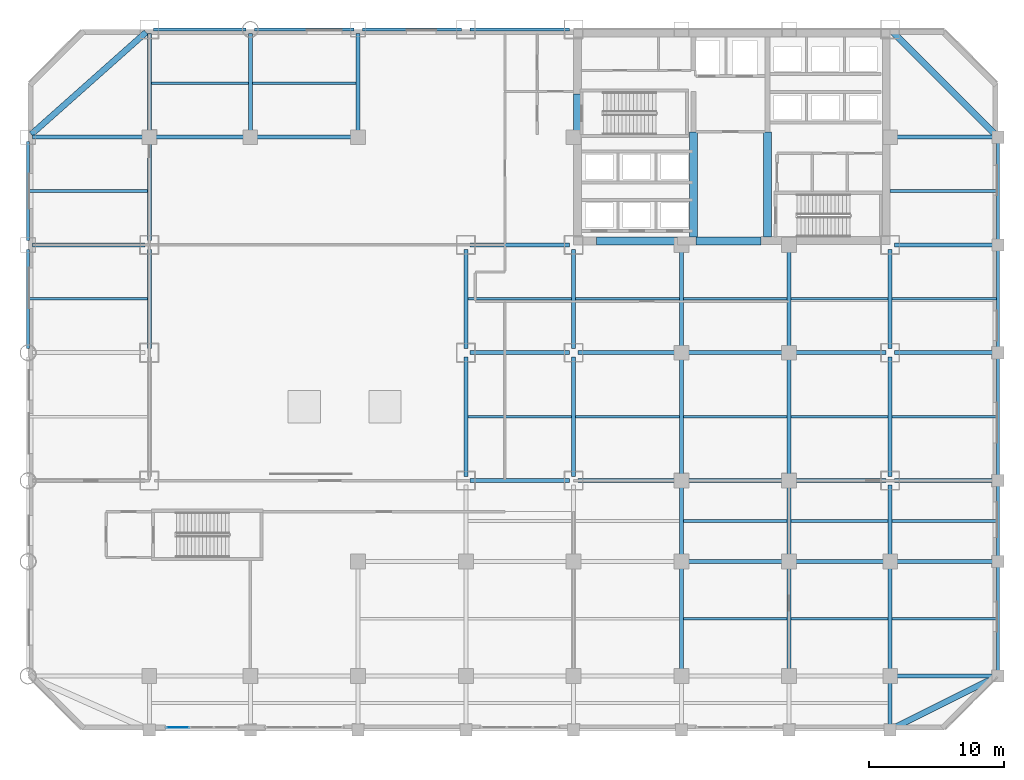
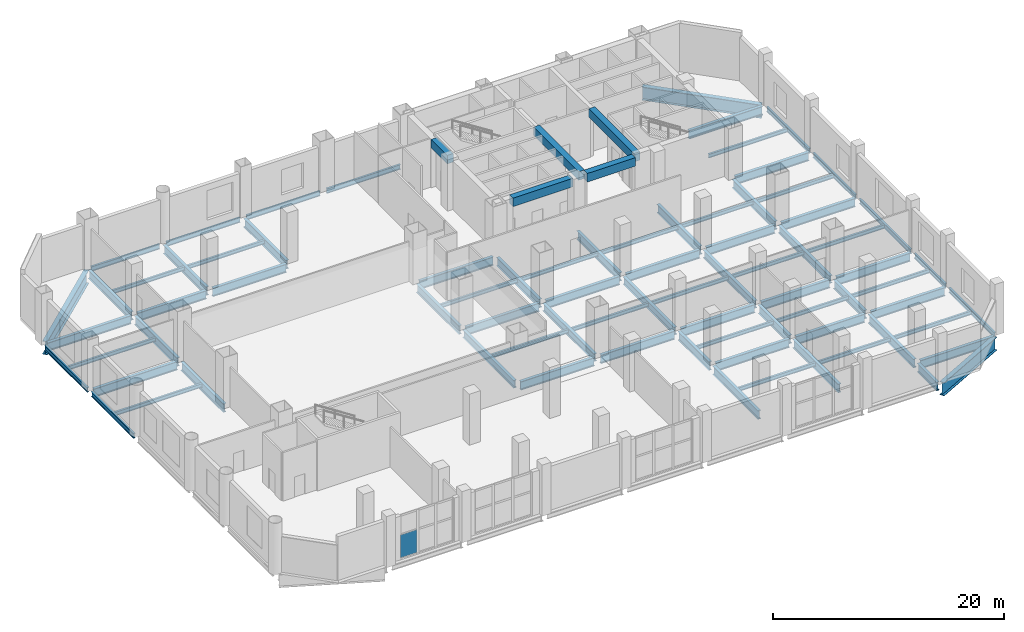
# One storey, part 9 of 18: 83 beams, 1 plate, 1 element without a shape of its own.
"""IFC4 building model written with IfcOpenShell, lengths in metres."""

from ifc_helpers import new_model, si_unit, direction, frame, origin, origin_2d, place, context, subcontext, project, spatial, rectangle, i_section, extrude, material, layer, layer_set, material_profile, profile_set, type_object, element, aggregate, save


model = new_model("IFC4")

# Units and contexts
model_context = context("Model", 3, precision=1e-05, world=origin(), true_north=direction((0.0, 1.0)))
body_context = subcontext(model_context, "Body", "Model", "MODEL_VIEW")
ifc_project = project(units=[si_unit("LENGTHUNIT", "METRE"), si_unit("AREAUNIT", "SQUARE_METRE"), si_unit("VOLUMEUNIT", "CUBIC_METRE"), si_unit("PLANEANGLEUNIT", "RADIAN"), si_unit("MASSUNIT", "GRAM", prefix="KILO")], contexts=[model_context])

# Site, building, storey
site_placement = place(None, origin())
site = spatial("IfcSite", under=ifc_project, at=site_placement, CompositionType="ELEMENT")
building_placement = place(site_placement, origin())
building = spatial("IfcBuilding", under=site, at=building_placement, Name="Qianrong Seaharbour Tower", CompositionType="ELEMENT")
storey_placement = place(building_placement, frame((0.0, 0.0, 6.0)))
storey = spatial("IfcBuildingStorey", under=building, at=storey_placement, Name="L02", CompositionType="ELEMENT", Elevation=6.0)

# Beams
ifc_material_1 = material(Name="Structural steel SN490B", Category="steel")
ifc_material_profile_1 = material_profile(ifc_material_1, i_section(OverallWidth=0.300048828125, OverallDepth=0.800048828125, WebThickness=0.013916015625, FlangeThickness=0.02587890625, FilletRadius=0.028076171875, at=origin_2d()), Name="H800x300x14x26")
ifc_profile_set_1 = profile_set([ifc_material_profile_1], Name="Structural steel SN490B")
beam_type_1 = type_object("IfcBeamType", Name="BM-G-800", PredefinedType="BEAM", material=ifc_profile_set_1)
for number, where, z_axis, x_axis, name in (
    (1, (32.5, 18.820068359375, -0.679931640625), (0.0, 1.0, 0.0), (-1.0, 0.0, 0.0), "L02 Primary Girder G5 GD-GE"),
    (2, (40.5, 18.820068359375, -0.679931640625), (0.0, 1.0, 0.0), (-1.0, 0.0, 0.0), "L02 Primary Girder G6 GD-GE"),
    (3, (48.5, 18.820068359375, -0.679931640625), (0.0, 1.0, 0.0), (-1.0, 0.0, 0.0), "L02 Primary Girder G7 GD-GE"),
    (4, (56.5, 18.820068359375, -0.679931640625), (0.0, 1.0, 0.0), (-1.0, 0.0, 0.0), "L02 Primary Girder G8 GD-GE"),
    (5, (64.0, 18.820068359375, -0.679931640625), (0.0, 1.0, 0.0), (-1.0, 0.0, 0.0), "L02 Primary Girder G9 GD-GE"),
):
    element("IfcBeam", number, at=place(storey_placement, frame(where, z_axis=z_axis, x_axis=x_axis)), inside=storey, type_object=beam_type_1, Name=name, PredefinedType="BEAM", context=body_context, shape_type="SweptSolid", body=[
        extrude(i_section(OverallWidth=0.300048828125, OverallDepth=0.800048828125, WebThickness=0.013916015625, FlangeThickness=0.02587890625, FilletRadius=0.028076171875, at=origin_2d()), origin(), (0.0, 0.0, 1.0), 8.85986328125),
    ])
ifc_material_profile_2 = material_profile(ifc_material_1, i_section(OverallWidth=0.300048828125, OverallDepth=0.89990234375, WebThickness=0.01611328125, FlangeThickness=0.028076171875, FilletRadius=0.028076171875, at=origin_2d()), Name="H900x300x16x28")
ifc_profile_set_2 = profile_set([ifc_material_profile_2], Name="Structural steel SN490B")
beam_type_2 = type_object("IfcBeamType", Name="BM-G-900", PredefinedType="BEAM", material=ifc_profile_set_2)
for number, where, z_axis, x_axis, name in (
    (6, (64.320068359375, 4.0, -0.72998046875), (1.0, 0.0, 0.0), (0.0, 1.0, 0.0), "L02 Primary Girder GB G9-G10"),
    (7, (48.820068359375, 12.5, -0.72998046875), (1.0, 0.0, 0.0), (0.0, 1.0, 0.0), "L02 Primary Girder GC G7-G8"),
):
    element("IfcBeam", number, at=place(storey_placement, frame(where, z_axis=z_axis, x_axis=x_axis)), inside=storey, type_object=beam_type_2, Name=name, PredefinedType="BEAM", context=body_context, shape_type="SweptSolid", body=[
        extrude(i_section(OverallWidth=0.300048828125, OverallDepth=0.89990234375, WebThickness=0.01611328125, FlangeThickness=0.028076171875, FilletRadius=0.028076171875, at=origin_2d()), origin(), (0.0, 0.0, 1.0), 7.35986328125),
    ])
beam_1_placement = place(storey_placement, frame((56.820068359375, 12.5, -0.72998046875), z_axis=(1.0, 0.0, 0.0), x_axis=(0.0, 1.0, 0.0)))
element("IfcBeam", 8, at=beam_1_placement, inside=storey, type_object=beam_type_2, Name="L02 Primary Girder GC G8-G9", PredefinedType="BEAM", context=body_context, shape_type="SweptSolid", body=[
    extrude(i_section(OverallWidth=0.300048828125, OverallDepth=0.89990234375, WebThickness=0.01611328125, FlangeThickness=0.028076171875, FilletRadius=0.028076171875, at=origin_2d()), origin(), (0.0, 0.0, 1.0), 6.85986328125),
])
for number, where, z_axis, x_axis, name in (
    (9, (64.320068359375, 12.5, -0.72998046875), (1.0, 0.0, 0.0), (0.0, 1.0, 0.0), "L02 Primary Girder GC G9-G10"),
    (10, (32.820068359375, 18.5, -0.72998046875), (1.0, 0.0, 0.0), (0.0, 1.0, 0.0), "L02 Primary Girder GD G5-G6"),
    (11, (40.820068359375, 18.5, -0.72998046875), (1.0, 0.0, 0.0), (0.0, 1.0, 0.0), "L02 Primary Girder GD G6-G7"),
    (12, (48.820068359375, 18.5, -0.72998046875), (1.0, 0.0, 0.0), (0.0, 1.0, 0.0), "L02 Primary Girder GD G7-G8"),
):
    element("IfcBeam", number, at=place(storey_placement, frame(where, z_axis=z_axis, x_axis=x_axis)), inside=storey, type_object=beam_type_2, Name=name, PredefinedType="BEAM", context=body_context, shape_type="SweptSolid", body=[
        extrude(i_section(OverallWidth=0.300048828125, OverallDepth=0.89990234375, WebThickness=0.01611328125, FlangeThickness=0.028076171875, FilletRadius=0.028076171875, at=origin_2d()), origin(), (0.0, 0.0, 1.0), 7.35986328125),
    ])
beam_2_placement = place(storey_placement, frame((56.820068359375, 18.5, -0.72998046875), z_axis=(1.0, 0.0, 0.0), x_axis=(0.0, 1.0, 0.0)))
element("IfcBeam", 13, at=beam_2_placement, inside=storey, type_object=beam_type_2, Name="L02 Primary Girder GD G8-G9", PredefinedType="BEAM", context=body_context, shape_type="SweptSolid", body=[
    extrude(i_section(OverallWidth=0.300048828125, OverallDepth=0.89990234375, WebThickness=0.01611328125, FlangeThickness=0.028076171875, FilletRadius=0.028076171875, at=origin_2d()), origin(), (0.0, 0.0, 1.0), 6.85986328125),
])
for number, where, z_axis, x_axis, name in (
    (14, (64.320068359375, 18.5, -0.72998046875), (1.0, 0.0, 0.0), (0.0, 1.0, 0.0), "L02 Primary Girder GD G9-G10"),
    (15, (32.820068359375, 28.0, -0.72998046875), (1.0, 0.0, 0.0), (0.0, 1.0, 0.0), "L02 Primary Girder GE G5-G6"),
    (16, (40.820068359375, 28.0, -0.72998046875), (1.0, 0.0, 0.0), (0.0, 1.0, 0.0), "L02 Primary Girder GE G6-G7"),
    (17, (48.820068359375, 28.0, -0.72998046875), (1.0, 0.0, 0.0), (0.0, 1.0, 0.0), "L02 Primary Girder GE G7-G8"),
):
    element("IfcBeam", number, at=place(storey_placement, frame(where, z_axis=z_axis, x_axis=x_axis)), inside=storey, type_object=beam_type_2, Name=name, PredefinedType="BEAM", context=body_context, shape_type="SweptSolid", body=[
        extrude(i_section(OverallWidth=0.300048828125, OverallDepth=0.89990234375, WebThickness=0.01611328125, FlangeThickness=0.028076171875, FilletRadius=0.028076171875, at=origin_2d()), origin(), (0.0, 0.0, 1.0), 7.35986328125),
    ])
beam_3_placement = place(storey_placement, frame((56.820068359375, 28.0, -0.72998046875), z_axis=(1.0, 0.0, 0.0), x_axis=(0.0, 1.0, 0.0)))
element("IfcBeam", 18, at=beam_3_placement, inside=storey, type_object=beam_type_2, Name="L02 Primary Girder GE G8-G9", PredefinedType="BEAM", context=body_context, shape_type="SweptSolid", body=[
    extrude(i_section(OverallWidth=0.300048828125, OverallDepth=0.89990234375, WebThickness=0.01611328125, FlangeThickness=0.028076171875, FilletRadius=0.028076171875, at=origin_2d()), origin(), (0.0, 0.0, 1.0), 6.85986328125),
])
beam_4_placement = place(storey_placement, frame((64.320068359375, 28.0, -0.72998046875), z_axis=(1.0, 0.0, 0.0), x_axis=(0.0, 1.0, 0.0)))
element("IfcBeam", 19, at=beam_4_placement, inside=storey, type_object=beam_type_2, Name="L02 Primary Girder GE G9-G10", PredefinedType="BEAM", context=body_context, shape_type="SweptSolid", body=[
    extrude(i_section(OverallWidth=0.300048828125, OverallDepth=0.89990234375, WebThickness=0.01611328125, FlangeThickness=0.028076171875, FilletRadius=0.028076171875, at=origin_2d()), origin(), (0.0, 0.0, 1.0), 7.35986328125),
])
beam_5_placement = place(storey_placement, frame((0.320068359375, 36.0, -0.72998046875), z_axis=(1.0, 0.0, 0.0), x_axis=(0.0, 1.0, 0.0)))
element("IfcBeam", 20, at=beam_5_placement, inside=storey, type_object=beam_type_2, Name="L02 Primary Girder GF G1-G2", PredefinedType="BEAM", context=body_context, shape_type="SweptSolid", body=[
    extrude(i_section(OverallWidth=0.300048828125, OverallDepth=0.89990234375, WebThickness=0.01611328125, FlangeThickness=0.028076171875, FilletRadius=0.028076171875, at=origin_2d()), origin(), (0.0, 0.0, 1.0), 8.35986328125),
])
for number, where, z_axis, x_axis, name in (
    (21, (32.820068359375, 36.0, -0.72998046875), (1.0, 0.0, 0.0), (0.0, 1.0, 0.0), "L02 Primary Girder GF G5-G6"),
    (22, (64.320068359375, 36.0, -0.72998046875), (1.0, 0.0, 0.0), (0.0, 1.0, 0.0), "L02 Primary Girder GF G9-G10"),
):
    element("IfcBeam", number, at=place(storey_placement, frame(where, z_axis=z_axis, x_axis=x_axis)), inside=storey, type_object=beam_type_2, Name=name, PredefinedType="BEAM", context=body_context, shape_type="SweptSolid", body=[
        extrude(i_section(OverallWidth=0.300048828125, OverallDepth=0.89990234375, WebThickness=0.01611328125, FlangeThickness=0.028076171875, FilletRadius=0.028076171875, at=origin_2d()), origin(), (0.0, 0.0, 1.0), 7.35986328125),
    ])
beam_6_placement = place(storey_placement, frame((0.320068359375, 44.0, -0.72998046875), z_axis=(1.0, 0.0, 0.0), x_axis=(0.0, 1.0, 0.0)))
element("IfcBeam", 23, at=beam_6_placement, inside=storey, type_object=beam_type_2, Name="L02 Primary Girder GG G1-G2", PredefinedType="BEAM", context=body_context, shape_type="SweptSolid", body=[
    extrude(i_section(OverallWidth=0.300048828125, OverallDepth=0.89990234375, WebThickness=0.01611328125, FlangeThickness=0.028076171875, FilletRadius=0.028076171875, at=origin_2d()), origin(), (0.0, 0.0, 1.0), 8.35986328125),
])
beam_7_placement = place(storey_placement, frame((9.320068359375, 44.0, -0.72998046875), z_axis=(1.0, 0.0, 0.0), x_axis=(0.0, 1.0, 0.0)))
element("IfcBeam", 24, at=beam_7_placement, inside=storey, type_object=beam_type_2, Name="L02 Primary Girder GG G2-G3", PredefinedType="BEAM", context=body_context, shape_type="SweptSolid", body=[
    extrude(i_section(OverallWidth=0.300048828125, OverallDepth=0.89990234375, WebThickness=0.01611328125, FlangeThickness=0.028076171875, FilletRadius=0.028076171875, at=origin_2d()), origin(), (0.0, 0.0, 1.0), 6.85986328125),
])
for number, where, z_axis, x_axis, name in (
    (25, (16.820068359375, 44.0, -0.72998046875), (1.0, 0.0, 0.0), (0.0, 1.0, 0.0), "L02 Primary Girder GG G3-G4"),
    (26, (64.320068359375, 44.0, -0.72998046875), (1.0, 0.0, 0.0), (0.0, 1.0, 0.0), "L02 Primary Girder GG G9-G10"),
    (27, (9.0, 28.320068359375, -0.72998046875), (0.0, 1.0, 0.0), (-1.0, 0.0, 0.0), "L02 Primary Girder G2 GE-GF"),
    (28, (9.0, 36.320068359375, -0.72998046875), (0.0, 1.0, 0.0), (-1.0, 0.0, 0.0), "L02 Primary Girder G2 GF-GG"),
    (29, (9.0, 44.320068359375, -0.72998046875), (0.0, 1.0, 0.0), (-1.0, 0.0, 0.0), "L02 Primary Girder G2 GG-GH"),
    (30, (16.5, 44.320068359375, -0.72998046875), (0.0, 1.0, 0.0), (-1.0, 0.0, 0.0), "L02 Primary Girder G3 GG-GH"),
    (31, (24.5, 44.320068359375, -0.72998046875), (0.0, 1.0, 0.0), (-1.0, 0.0, 0.0), "L02 Primary Girder G4 GG-GH"),
    (32, (32.5, 28.320068359375, -0.72998046875), (0.0, 1.0, 0.0), (-1.0, 0.0, 0.0), "L02 Primary Girder G5 GE-GF"),
    (33, (40.5, 28.320068359375, -0.72998046875), (0.0, 1.0, 0.0), (-1.0, 0.0, 0.0), "L02 Primary Girder G6 GE-GF"),
):
    element("IfcBeam", number, at=place(storey_placement, frame(where, z_axis=z_axis, x_axis=x_axis)), inside=storey, type_object=beam_type_2, Name=name, PredefinedType="BEAM", context=body_context, shape_type="SweptSolid", body=[
        extrude(i_section(OverallWidth=0.300048828125, OverallDepth=0.89990234375, WebThickness=0.01611328125, FlangeThickness=0.028076171875, FilletRadius=0.028076171875, at=origin_2d()), origin(), (0.0, 0.0, 1.0), 7.35986328125),
    ])
beam_8_placement = place(storey_placement, frame((48.5, 4.320068359375, -0.72998046875), z_axis=(0.0, 1.0, 0.0), x_axis=(-1.0, 0.0, 0.0)))
element("IfcBeam", 34, at=beam_8_placement, inside=storey, type_object=beam_type_2, Name="L02 Primary Girder G7 GB-GC", PredefinedType="BEAM", context=body_context, shape_type="SweptSolid", body=[
    extrude(i_section(OverallWidth=0.300048828125, OverallDepth=0.89990234375, WebThickness=0.01611328125, FlangeThickness=0.028076171875, FilletRadius=0.028076171875, at=origin_2d()), origin(), (0.0, 0.0, 1.0), 7.85986328125),
])
beam_9_placement = place(storey_placement, frame((48.5, 12.820068359375, -0.72998046875), z_axis=(0.0, 1.0, 0.0), x_axis=(-1.0, 0.0, 0.0)))
element("IfcBeam", 35, at=beam_9_placement, inside=storey, type_object=beam_type_2, Name="L02 Primary Girder G7 GC-GD", PredefinedType="BEAM", context=body_context, shape_type="SweptSolid", body=[
    extrude(i_section(OverallWidth=0.300048828125, OverallDepth=0.89990234375, WebThickness=0.01611328125, FlangeThickness=0.028076171875, FilletRadius=0.028076171875, at=origin_2d()), origin(), (0.0, 0.0, 1.0), 5.35986328125),
])
beam_10_placement = place(storey_placement, frame((48.5, 28.320068359375, -0.72998046875), z_axis=(0.0, 1.0, 0.0), x_axis=(-1.0, 0.0, 0.0)))
element("IfcBeam", 36, at=beam_10_placement, inside=storey, type_object=beam_type_2, Name="L02 Primary Girder G7 GE-GF", PredefinedType="BEAM", context=body_context, shape_type="SweptSolid", body=[
    extrude(i_section(OverallWidth=0.300048828125, OverallDepth=0.89990234375, WebThickness=0.01611328125, FlangeThickness=0.028076171875, FilletRadius=0.028076171875, at=origin_2d()), origin(), (0.0, 0.0, 1.0), 7.35986328125),
])
beam_11_placement = place(storey_placement, frame((56.5, 4.320068359375, -0.72998046875), z_axis=(0.0, 1.0, 0.0), x_axis=(-1.0, 0.0, 0.0)))
element("IfcBeam", 37, at=beam_11_placement, inside=storey, type_object=beam_type_2, Name="L02 Primary Girder G8 GB-GC", PredefinedType="BEAM", context=body_context, shape_type="SweptSolid", body=[
    extrude(i_section(OverallWidth=0.300048828125, OverallDepth=0.89990234375, WebThickness=0.01611328125, FlangeThickness=0.028076171875, FilletRadius=0.028076171875, at=origin_2d()), origin(), (0.0, 0.0, 1.0), 7.85986328125),
])
beam_12_placement = place(storey_placement, frame((56.5, 12.820068359375, -0.72998046875), z_axis=(0.0, 1.0, 0.0), x_axis=(-1.0, 0.0, 0.0)))
element("IfcBeam", 38, at=beam_12_placement, inside=storey, type_object=beam_type_2, Name="L02 Primary Girder G8 GC-GD", PredefinedType="BEAM", context=body_context, shape_type="SweptSolid", body=[
    extrude(i_section(OverallWidth=0.300048828125, OverallDepth=0.89990234375, WebThickness=0.01611328125, FlangeThickness=0.028076171875, FilletRadius=0.028076171875, at=origin_2d()), origin(), (0.0, 0.0, 1.0), 5.35986328125),
])
beam_13_placement = place(storey_placement, frame((56.5, 28.320068359375, -0.72998046875), z_axis=(0.0, 1.0, 0.0), x_axis=(-1.0, 0.0, 0.0)))
element("IfcBeam", 39, at=beam_13_placement, inside=storey, type_object=beam_type_2, Name="L02 Primary Girder G8 GE-GF", PredefinedType="BEAM", context=body_context, shape_type="SweptSolid", body=[
    extrude(i_section(OverallWidth=0.300048828125, OverallDepth=0.89990234375, WebThickness=0.01611328125, FlangeThickness=0.028076171875, FilletRadius=0.028076171875, at=origin_2d()), origin(), (0.0, 0.0, 1.0), 7.35986328125),
])
beam_14_placement = place(storey_placement, frame((64.0, 0.320068359375, -0.72998046875), z_axis=(0.0, 1.0, 0.0), x_axis=(-1.0, 0.0, 0.0)))
element("IfcBeam", 40, at=beam_14_placement, inside=storey, type_object=beam_type_2, Name="L02 Primary Girder G9 GA-GB", PredefinedType="BEAM", context=body_context, shape_type="SweptSolid", body=[
    extrude(i_section(OverallWidth=0.300048828125, OverallDepth=0.89990234375, WebThickness=0.01611328125, FlangeThickness=0.028076171875, FilletRadius=0.028076171875, at=origin_2d()), origin(), (0.0, 0.0, 1.0), 3.35986328125),
])
beam_15_placement = place(storey_placement, frame((64.0, 4.320068359375, -0.72998046875), z_axis=(0.0, 1.0, 0.0), x_axis=(-1.0, 0.0, 0.0)))
element("IfcBeam", 41, at=beam_15_placement, inside=storey, type_object=beam_type_2, Name="L02 Primary Girder G9 GB-GC", PredefinedType="BEAM", context=body_context, shape_type="SweptSolid", body=[
    extrude(i_section(OverallWidth=0.300048828125, OverallDepth=0.89990234375, WebThickness=0.01611328125, FlangeThickness=0.028076171875, FilletRadius=0.028076171875, at=origin_2d()), origin(), (0.0, 0.0, 1.0), 7.85986328125),
])
beam_16_placement = place(storey_placement, frame((64.0, 12.820068359375, -0.72998046875), z_axis=(0.0, 1.0, 0.0), x_axis=(-1.0, 0.0, 0.0)))
element("IfcBeam", 42, at=beam_16_placement, inside=storey, type_object=beam_type_2, Name="L02 Primary Girder G9 GC-GD", PredefinedType="BEAM", context=body_context, shape_type="SweptSolid", body=[
    extrude(i_section(OverallWidth=0.300048828125, OverallDepth=0.89990234375, WebThickness=0.01611328125, FlangeThickness=0.028076171875, FilletRadius=0.028076171875, at=origin_2d()), origin(), (0.0, 0.0, 1.0), 5.35986328125),
])
beam_17_placement = place(storey_placement, frame((64.0, 28.320068359375, -0.72998046875), z_axis=(0.0, 1.0, 0.0), x_axis=(-1.0, 0.0, 0.0)))
element("IfcBeam", 43, at=beam_17_placement, inside=storey, type_object=beam_type_2, Name="L02 Primary Girder G9 GE-GF", PredefinedType="BEAM", context=body_context, shape_type="SweptSolid", body=[
    extrude(i_section(OverallWidth=0.300048828125, OverallDepth=0.89990234375, WebThickness=0.01611328125, FlangeThickness=0.028076171875, FilletRadius=0.028076171875, at=origin_2d()), origin(), (0.0, 0.0, 1.0), 7.35986328125),
])
ifc_material_2 = material(Name="Structural steel SN400B", Category="steel")
ifc_material_profile_3 = material_profile(ifc_material_2, i_section(OverallWidth=0.199951171875, OverallDepth=0.39990234375, WebThickness=0.008056640625, FlangeThickness=0.012939453125, FilletRadius=0.01611328125, at=origin_2d()), Name="H400x200x8x13")
ifc_profile_set_3 = profile_set([ifc_material_profile_3], Name="Structural steel SN400B")
beam_type_3 = type_object("IfcBeamType", Name="BM-J-400", PredefinedType="JOIST", material=ifc_profile_set_3)
for number, where, z_axis, x_axis, name in (
    (44, (0.10009765625, 32.0, -0.47998046875), (1.0, 0.0, 0.0), (0.0, 1.0, 0.0), "L02 Composite Floor Joist G1-G2/GE-GF"),
    (45, (0.10009765625, 40.0, -0.47998046875), (1.0, 0.0, 0.0), (0.0, 1.0, 0.0), "L02 Composite Floor Joist G1-G2/GF-GG"),
):
    element("IfcBeam", number, at=place(storey_placement, frame(where, z_axis=z_axis, x_axis=x_axis)), inside=storey, type_object=beam_type_3, Name=name, PredefinedType="JOIST", context=body_context, shape_type="SweptSolid", body=[
        extrude(i_section(OverallWidth=0.199951171875, OverallDepth=0.39990234375, WebThickness=0.008056640625, FlangeThickness=0.012939453125, FilletRadius=0.01611328125, at=origin_2d()), origin(), (0.0, 0.0, 1.0), 8.75),
    ])
beam_18_placement = place(storey_placement, frame((9.14990234375, 48.0, -0.47998046875), z_axis=(1.0, 0.0, 0.0), x_axis=(0.0, 1.0, 0.0)))
element("IfcBeam", 46, at=beam_18_placement, inside=storey, type_object=beam_type_3, Name="L02 Composite Floor Joist G2-G3/GG-GH", PredefinedType="JOIST", context=body_context, shape_type="SweptSolid", body=[
    extrude(i_section(OverallWidth=0.199951171875, OverallDepth=0.39990234375, WebThickness=0.008056640625, FlangeThickness=0.012939453125, FilletRadius=0.01611328125, at=origin_2d()), origin(), (0.0, 0.0, 1.0), 7.2001953125),
])
for number, where, z_axis, x_axis, name in (
    (47, (16.64990234375, 48.0, -0.47998046875), (1.0, 0.0, 0.0), (0.0, 1.0, 0.0), "L02 Composite Floor Joist G3-G4/GG-GH"),
    (48, (32.64990234375, 23.25, -0.47998046875), (1.0, 0.0, 0.0), (0.0, 1.0, 0.0), "L02 Composite Floor Joist G5-G6/GD-GE"),
    (49, (32.64990234375, 32.0, -0.47998046875), (1.0, 0.0, 0.0), (0.0, 1.0, 0.0), "L02 Composite Floor Joist G5-G6/GE-GF"),
    (50, (40.64990234375, 23.25, -0.47998046875), (1.0, 0.0, 0.0), (0.0, 1.0, 0.0), "L02 Composite Floor Joist G6-G7/GD-GE"),
    (51, (40.64990234375, 32.0, -0.47998046875), (1.0, 0.0, 0.0), (0.0, 1.0, 0.0), "L02 Composite Floor Joist G6-G7/GE-GF"),
    (52, (48.64990234375, 8.25, -0.47998046875), (1.0, 0.0, 0.0), (0.0, 1.0, 0.0), "L02 Composite Floor Joist G7-G8/GB-GC"),
    (53, (48.64990234375, 15.5, -0.47998046875), (1.0, 0.0, 0.0), (0.0, 1.0, 0.0), "L02 Composite Floor Joist G7-G8/GC-GD"),
    (54, (48.64990234375, 23.25, -0.47998046875), (1.0, 0.0, 0.0), (0.0, 1.0, 0.0), "L02 Composite Floor Joist G7-G8/GD-GE"),
    (55, (48.64990234375, 32.0, -0.47998046875), (1.0, 0.0, 0.0), (0.0, 1.0, 0.0), "L02 Composite Floor Joist G7-G8/GE-GF"),
):
    element("IfcBeam", number, at=place(storey_placement, frame(where, z_axis=z_axis, x_axis=x_axis)), inside=storey, type_object=beam_type_3, Name=name, PredefinedType="JOIST", context=body_context, shape_type="SweptSolid", body=[
        extrude(i_section(OverallWidth=0.199951171875, OverallDepth=0.39990234375, WebThickness=0.008056640625, FlangeThickness=0.012939453125, FilletRadius=0.01611328125, at=origin_2d()), origin(), (0.0, 0.0, 1.0), 7.7001953125),
    ])
for number, where, z_axis, x_axis, name in (
    (56, (56.64990234375, 8.25, -0.47998046875), (1.0, 0.0, 0.0), (0.0, 1.0, 0.0), "L02 Composite Floor Joist G8-G9/GB-GC"),
    (57, (56.64990234375, 15.5, -0.47998046875), (1.0, 0.0, 0.0), (0.0, 1.0, 0.0), "L02 Composite Floor Joist G8-G9/GC-GD"),
    (58, (56.64990234375, 23.25, -0.47998046875), (1.0, 0.0, 0.0), (0.0, 1.0, 0.0), "L02 Composite Floor Joist G8-G9/GD-GE"),
    (59, (56.64990234375, 32.0, -0.47998046875), (1.0, 0.0, 0.0), (0.0, 1.0, 0.0), "L02 Composite Floor Joist G8-G9/GE-GF"),
):
    element("IfcBeam", number, at=place(storey_placement, frame(where, z_axis=z_axis, x_axis=x_axis)), inside=storey, type_object=beam_type_3, Name=name, PredefinedType="JOIST", context=body_context, shape_type="SweptSolid", body=[
        extrude(i_section(OverallWidth=0.199951171875, OverallDepth=0.39990234375, WebThickness=0.008056640625, FlangeThickness=0.012939453125, FilletRadius=0.01611328125, at=origin_2d()), origin(), (0.0, 0.0, 1.0), 7.2001953125),
    ])
for number, where, z_axis, x_axis, name in (
    (60, (64.14990234375, 8.25, -0.47998046875), (1.0, 0.0, 0.0), (0.0, 1.0, 0.0), "L02 Composite Floor Joist G9-G10/GB-GC"),
    (61, (64.14990234375, 15.5, -0.47998046875), (1.0, 0.0, 0.0), (0.0, 1.0, 0.0), "L02 Composite Floor Joist G9-G10/GC-GD"),
    (62, (64.14990234375, 23.25, -0.47998046875), (1.0, 0.0, 0.0), (0.0, 1.0, 0.0), "L02 Composite Floor Joist G9-G10/GD-GE"),
    (63, (64.14990234375, 32.0, -0.47998046875), (1.0, 0.0, 0.0), (0.0, 1.0, 0.0), "L02 Composite Floor Joist G9-G10/GE-GF"),
):
    element("IfcBeam", number, at=place(storey_placement, frame(where, z_axis=z_axis, x_axis=x_axis)), inside=storey, type_object=beam_type_3, Name=name, PredefinedType="JOIST", context=body_context, shape_type="SweptSolid", body=[
        extrude(i_section(OverallWidth=0.199951171875, OverallDepth=0.39990234375, WebThickness=0.008056640625, FlangeThickness=0.012939453125, FilletRadius=0.01611328125, at=origin_2d()), origin(), (0.0, 0.0, 1.0), 7.75),
    ])
beam_19_placement = place(storey_placement, frame((64.0, 40.0, -0.47998046875), z_axis=(1.0, 0.0, 0.0), x_axis=(0.0, 1.0, 0.0)))
element("IfcBeam", 64, at=beam_19_placement, inside=storey, type_object=beam_type_3, Name="L02 Composite Floor Joist G9-G10/GF-GG", PredefinedType="JOIST", context=body_context, shape_type="SweptSolid", body=[
    extrude(i_section(OverallWidth=0.199951171875, OverallDepth=0.39990234375, WebThickness=0.008056640625, FlangeThickness=0.012939453125, FilletRadius=0.01611328125, at=origin_2d()), origin(), (0.0, 0.0, 1.0), 7.89990234375),
])
ifc_material_3 = material(Name="Concrete C70/85", Category="concrete")
ifc_material_profile_4 = material_profile(ifc_material_3, rectangle(XDim=0.60009765625, YDim=0.89990234375, at=origin_2d()), Name="RC600x900")
ifc_profile_set_4 = profile_set([ifc_material_profile_4], Name="Concrete C70/85")
beam_type_4 = type_object("IfcBeamType", Name="BM-LINTEL-900", PredefinedType="LINTEL", material=ifc_profile_set_4)
beam_20_placement = place(storey_placement, frame((40.7900390625, 44.39990234375, 4.669921875), z_axis=(0.0, 1.0, 0.0), x_axis=(-1.0, 0.0, 0.0)))
element("IfcBeam", 65, at=beam_20_placement, inside=storey, type_object=beam_type_4, Name="L02 Core Coupling Lintel Beam West", PredefinedType="LINTEL", context=body_context, shape_type="SweptSolid", body=[
    extrude(rectangle(XDim=0.60009765625, YDim=0.89990234375, at=origin_2d()), origin(), (0.0, 0.0, 1.0), 2.800048828125),
])
beam_21_placement = place(storey_placement, frame((42.199951171875, 36.2900390625, 4.669921875), z_axis=(1.0, 0.0, 0.0), x_axis=(0.0, 1.0, 0.0)))
element("IfcBeam", 66, at=beam_21_placement, inside=storey, type_object=beam_type_4, Name="L02 Core Coupling Lintel Beam CBW", PredefinedType="LINTEL", context=body_context, shape_type="SweptSolid", body=[
    extrude(rectangle(XDim=0.60009765625, YDim=0.89990234375, at=origin_2d()), origin(), (0.0, 0.0, 1.0), 6.0),
])
beam_22_placement = place(storey_placement, frame((49.60009765625, 36.2900390625, 4.669921875), z_axis=(1.0, 0.0, 0.0), x_axis=(0.0, 1.0, 0.0)))
element("IfcBeam", 67, at=beam_22_placement, inside=storey, type_object=beam_type_4, Name="L02 Core Coupling Lintel Beam CBC", PredefinedType="LINTEL", context=body_context, shape_type="SweptSolid", body=[
    extrude(rectangle(XDim=0.60009765625, YDim=0.89990234375, at=origin_2d()), origin(), (0.0, 0.0, 1.0), 4.7998046875),
])
for number, where, z_axis, x_axis, name in (
    (68, (49.39990234375, 36.580078125, 4.669921875), (0.0, 1.0, 0.0), (-1.0, 0.0, 0.0), "L02 Internal Core Coupling Beam IW1"),
    (69, (54.89990234375, 36.580078125, 4.669921875), (0.0, 1.0, 0.0), (-1.0, 0.0, 0.0), "L02 Internal Core Coupling Beam IW2"),
):
    element("IfcBeam", number, at=place(storey_placement, frame(where, z_axis=z_axis, x_axis=x_axis)), inside=storey, type_object=beam_type_4, Name=name, PredefinedType="LINTEL", context=body_context, shape_type="SweptSolid", body=[
        extrude(rectangle(XDim=0.60009765625, YDim=0.89990234375, at=origin_2d()), origin(), (0.0, 0.0, 1.0), 7.81982421875),
    ])
ifc_material_profile_5 = material_profile(ifc_material_1, i_section(OverallWidth=0.199951171875, OverallDepth=0.5, WebThickness=0.010009765625, FlangeThickness=0.01611328125, FilletRadius=0.02001953125, at=origin_2d()), Name="H500x200x10x16")
ifc_profile_set_5 = profile_set([ifc_material_profile_5], Name="Structural steel SN490B")
beam_type_5 = type_object("IfcBeamType", Name="BM-SP-500", PredefinedType="SPANDREL", material=ifc_profile_set_5)
beam_23_placement = place(storey_placement, frame((9.320068359375, 52.0, -0.530029296875), z_axis=(1.0, 0.0, 0.0), x_axis=(0.0, 1.0, 0.0)))
element("IfcBeam", 70, at=beam_23_placement, inside=storey, type_object=beam_type_5, Name="L02 Spandrel Girder GH G2-G3", PredefinedType="SPANDREL", context=body_context, shape_type="SweptSolid", body=[
    extrude(i_section(OverallWidth=0.199951171875, OverallDepth=0.5, WebThickness=0.010009765625, FlangeThickness=0.01611328125, FilletRadius=0.02001953125, at=origin_2d()), origin(), (0.0, 0.0, 1.0), 6.85986328125),
])
for number, where, z_axis, x_axis, name in (
    (71, (16.820068359375, 52.0, -0.530029296875), (1.0, 0.0, 0.0), (0.0, 1.0, 0.0), "L02 Spandrel Girder GH G3-G4"),
    (72, (24.820068359375, 52.0, -0.530029296875), (1.0, 0.0, 0.0), (0.0, 1.0, 0.0), "L02 Spandrel Girder GH G4-G5"),
    (73, (32.820068359375, 52.0, -0.530029296875), (1.0, 0.0, 0.0), (0.0, 1.0, 0.0), "L02 Spandrel Girder GH G5-G6"),
    (74, (0.0, 28.320068359375, -0.530029296875), (0.0, 1.0, 0.0), (-1.0, 0.0, 0.0), "L02 Spandrel Girder G1 GE-GF"),
    (75, (0.0, 36.320068359375, -0.530029296875), (0.0, 1.0, 0.0), (-1.0, 0.0, 0.0), "L02 Spandrel Girder G1 GF-GG"),
):
    element("IfcBeam", number, at=place(storey_placement, frame(where, z_axis=z_axis, x_axis=x_axis)), inside=storey, type_object=beam_type_5, Name=name, PredefinedType="SPANDREL", context=body_context, shape_type="SweptSolid", body=[
        extrude(i_section(OverallWidth=0.199951171875, OverallDepth=0.5, WebThickness=0.010009765625, FlangeThickness=0.01611328125, FilletRadius=0.02001953125, at=origin_2d()), origin(), (0.0, 0.0, 1.0), 7.35986328125),
    ])
beam_24_placement = place(storey_placement, frame((72.0, 4.320068359375, -0.530029296875), z_axis=(0.0, 1.0, 0.0), x_axis=(-1.0, 0.0, 0.0)))
element("IfcBeam", 76, at=beam_24_placement, inside=storey, type_object=beam_type_5, Name="L02 Spandrel Girder G10 GB-GC", PredefinedType="SPANDREL", context=body_context, shape_type="SweptSolid", body=[
    extrude(i_section(OverallWidth=0.199951171875, OverallDepth=0.5, WebThickness=0.010009765625, FlangeThickness=0.01611328125, FilletRadius=0.02001953125, at=origin_2d()), origin(), (0.0, 0.0, 1.0), 7.85986328125),
])
beam_25_placement = place(storey_placement, frame((72.0, 12.820068359375, -0.530029296875), z_axis=(0.0, 1.0, 0.0), x_axis=(-1.0, 0.0, 0.0)))
element("IfcBeam", 77, at=beam_25_placement, inside=storey, type_object=beam_type_5, Name="L02 Spandrel Girder G10 GC-GD", PredefinedType="SPANDREL", context=body_context, shape_type="SweptSolid", body=[
    extrude(i_section(OverallWidth=0.199951171875, OverallDepth=0.5, WebThickness=0.010009765625, FlangeThickness=0.01611328125, FilletRadius=0.02001953125, at=origin_2d()), origin(), (0.0, 0.0, 1.0), 5.35986328125),
])
beam_26_placement = place(storey_placement, frame((72.0, 18.820068359375, -0.530029296875), z_axis=(0.0, 1.0, 0.0), x_axis=(-1.0, 0.0, 0.0)))
element("IfcBeam", 78, at=beam_26_placement, inside=storey, type_object=beam_type_5, Name="L02 Spandrel Girder G10 GD-GE", PredefinedType="SPANDREL", context=body_context, shape_type="SweptSolid", body=[
    extrude(i_section(OverallWidth=0.199951171875, OverallDepth=0.5, WebThickness=0.010009765625, FlangeThickness=0.01611328125, FilletRadius=0.02001953125, at=origin_2d()), origin(), (0.0, 0.0, 1.0), 8.85986328125),
])
for number, where, z_axis, x_axis, name in (
    (79, (72.0, 28.320068359375, -0.530029296875), (0.0, 1.0, 0.0), (-1.0, 0.0, 0.0), "L02 Spandrel Girder G10 GE-GF"),
    (80, (72.0, 36.320068359375, -0.530029296875), (0.0, 1.0, 0.0), (-1.0, 0.0, 0.0), "L02 Spandrel Girder G10 GF-GG"),
):
    element("IfcBeam", number, at=place(storey_placement, frame(where, z_axis=z_axis, x_axis=x_axis)), inside=storey, type_object=beam_type_5, Name=name, PredefinedType="SPANDREL", context=body_context, shape_type="SweptSolid", body=[
        extrude(i_section(OverallWidth=0.199951171875, OverallDepth=0.5, WebThickness=0.010009765625, FlangeThickness=0.01611328125, FilletRadius=0.02001953125, at=origin_2d()), origin(), (0.0, 0.0, 1.0), 7.35986328125),
    ])
ifc_material_profile_6 = material_profile(ifc_material_1, i_section(OverallWidth=0.449951171875, OverallDepth=1.39990234375, WebThickness=0.02197265625, FlangeThickness=0.0400390625, at=origin_2d()), Name="BH1400x450x22x40")
ifc_profile_set_6 = profile_set([ifc_material_profile_6], Name="Structural steel SN490B")
beam_type_6 = type_object("IfcBeamType", Name="BM-TG-1400", PredefinedType="BEAM", material=ifc_profile_set_6)
beam_27_placement = place(storey_placement, frame((8.7607421875, 51.787353515625, -0.97998046875), z_axis=(-0.747406955841, -0.664366497018, 0.0), x_axis=(0.664366497018, -0.747406955841, 0.0)))
element("IfcBeam", 81, at=beam_27_placement, inside=storey, type_object=beam_type_6, Name="L02 Chamfer Corner Spandrel Girder G1/GH", PredefinedType="BEAM", context=body_context, shape_type="SweptSolid", body=[
    extrude(i_section(OverallWidth=0.449951171875, OverallDepth=1.39990234375, WebThickness=0.02197265625, FlangeThickness=0.0400390625, at=origin_2d()), origin(), (0.0, 0.0, 1.0), 11.4013671875),
])
beam_28_placement = place(storey_placement, frame((64.2861328125, 0.14306640625, -0.97998046875), z_axis=(0.894427191, 0.4472135955, 0.0), x_axis=(-0.4472135955, 0.894427191, 0.0)))
element("IfcBeam", 82, at=beam_28_placement, inside=storey, type_object=beam_type_6, Name="L02 Chamfer Corner Spandrel Girder G10/GA", PredefinedType="BEAM", context=body_context, shape_type="SweptSolid", body=[
    extrude(i_section(OverallWidth=0.449951171875, OverallDepth=1.39990234375, WebThickness=0.02197265625, FlangeThickness=0.0400390625, at=origin_2d()), origin(), (0.0, 0.0, 1.0), 8.304443359375),
])
beam_29_placement = place(storey_placement, frame((64.226318359375, 51.773681640625, -0.97998046875), z_axis=(0.707106781187, -0.707106781187, 0.0), x_axis=(0.707106781187, 0.707106781187, 0.0)))
element("IfcBeam", 83, at=beam_29_placement, inside=storey, type_object=beam_type_6, Name="L02 Chamfer Corner Spandrel Girder G10/GH", PredefinedType="BEAM", context=body_context, shape_type="SweptSolid", body=[
    extrude(i_section(OverallWidth=0.449951171875, OverallDepth=1.39990234375, WebThickness=0.02197265625, FlangeThickness=0.0400390625, at=origin_2d()), origin(), (0.0, 0.0, 1.0), 10.673583984375),
])

# Curtain wall, plate
ifc_material_4 = material(Name="Anodised aluminium 6063-T6 and laminated low-e glass", Category="aluminium")
ifc_layer_1 = layer(ifc_material_4, 0.219970703125)
ifc_layer_set_1 = layer_set([ifc_layer_1], Name="Anodised aluminium 6063-T6 and laminated low-e glass")
curtain_wall_type = type_object("IfcCurtainWallType", Name="CW-SYS-1", PredefinedType="NOTDEFINED", material=ifc_layer_set_1)
curtain_wall_placement = place(storey_placement, origin())
curtain_wall = element("IfcCurtainWall", 84, at=curtain_wall_placement, inside=storey, type_object=curtain_wall_type, Name="L02 Waterfront Colonnade Curtain Wall Bay 1", PredefinedType="NOTDEFINED")
ifc_material_5 = material(Name="Laminated solar-control low-e glass", Category="glass")
ifc_layer_2 = layer(ifc_material_5, 0.031982421875)
ifc_layer_set_2 = layer_set([ifc_layer_2], Name="Laminated solar-control low-e glass")
plate_type = type_object("IfcPlateType", Name="CW-PAN-VISION-32", PredefinedType="CURTAIN_PANEL", material=ifc_layer_set_2)
plate_placement = place(storey_placement, frame((11.1201171875, 0.18994140625, 0.070068359375), z_axis=(0.0, 0.0, 1.0), x_axis=(-1.0, 0.0, 0.0)))
plate = element("IfcPlate", 85, at=plate_placement, type_object=plate_type, Name="CW-1 panel 3.1", PredefinedType="CURTAIN_PANEL", context=body_context, shape_type="SweptSolid", body=[
    extrude(rectangle(XDim=1.679931640625, YDim=0.031982421875, at=origin_2d()), origin(), (0.0, 0.0, 1.0), 2.4140625),
])
aggregate(curtain_wall, [plate])

save(model, "model.ifc")
